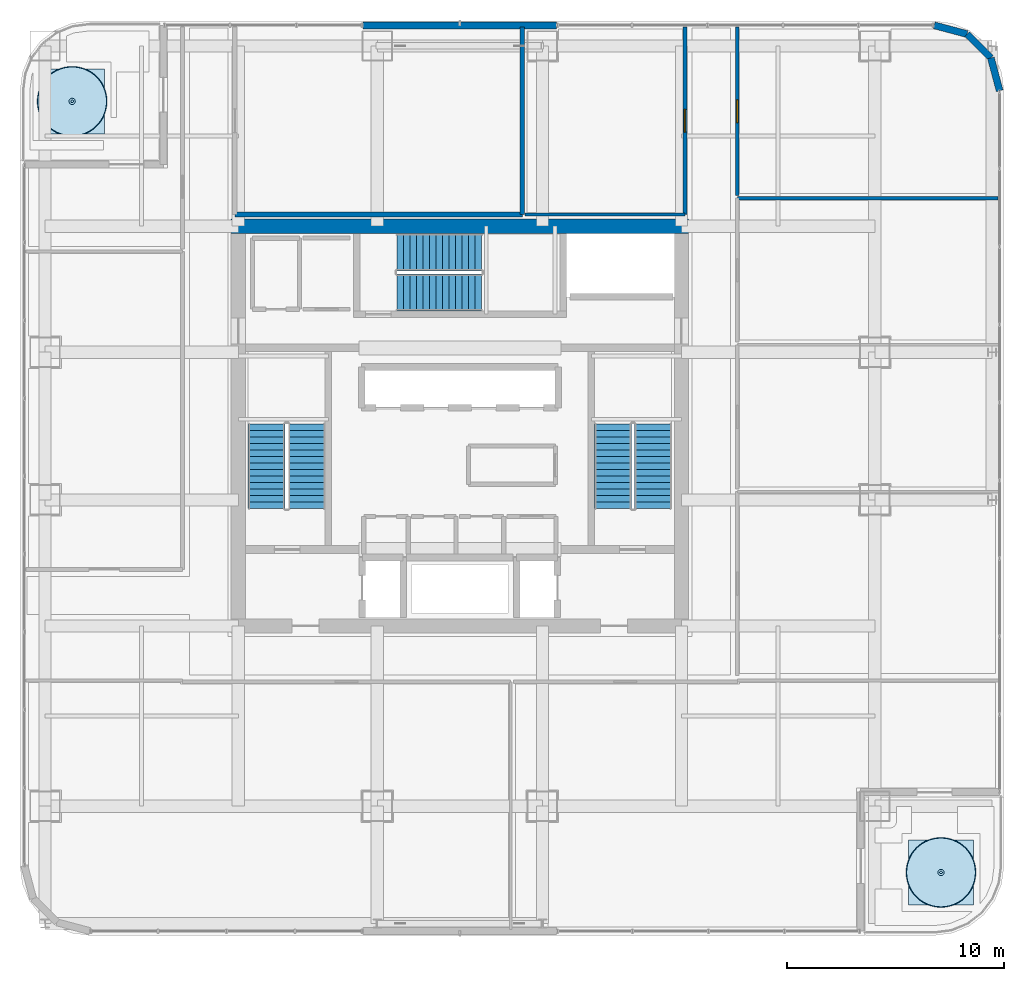
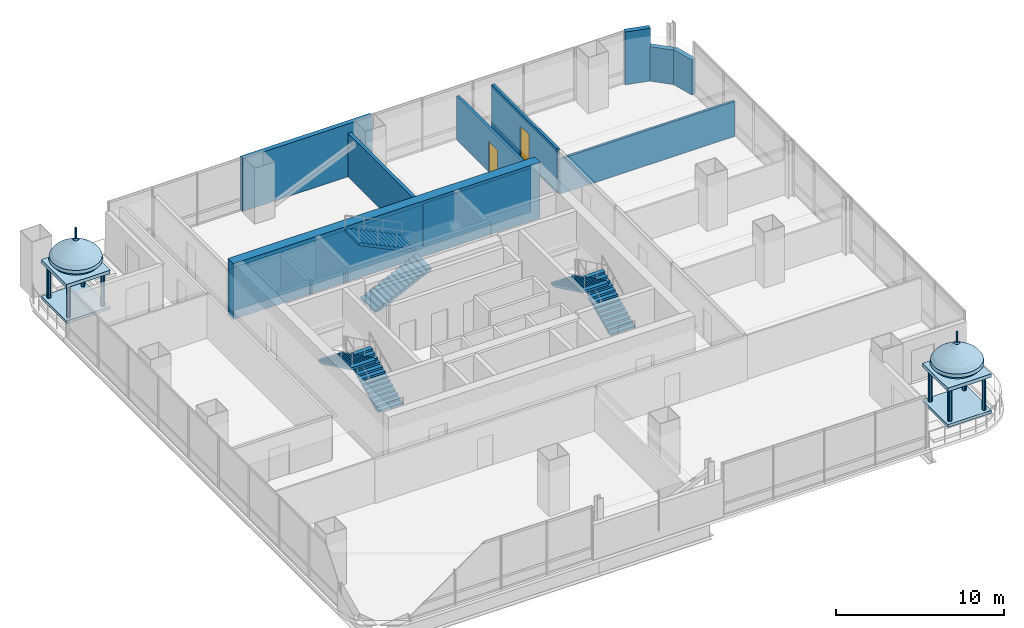
# One storey, part 32 of 41: 11 walls, 6 stair flights, 2 doors, 2 roofs, 2 openings, 3 elements without a shape of their own.
"""IFC4 building model written with IfcOpenShell, lengths in metres."""

from ifc_helpers import new_model, entity, si_unit, direction, frame, frame_2d, origin, origin_2d, place, context, subcontext, project, spatial, polyline, rectangle, circle, outline, extrude, material, layer, layer_set, type_object, element, fill, aggregate, save


model = new_model("IFC4")

# Units and contexts
model_context = context("Model", 3, precision=1e-05, world=origin(), true_north=direction((0.0, 1.0)))
body_context = subcontext(model_context, "Body", "Model", "MODEL_VIEW")
ifc_project = project(units=[si_unit("LENGTHUNIT", "METRE"), si_unit("AREAUNIT", "SQUARE_METRE"), si_unit("VOLUMEUNIT", "CUBIC_METRE"), si_unit("PLANEANGLEUNIT", "RADIAN"), si_unit("MASSUNIT", "GRAM", prefix="KILO")], contexts=[model_context])

# Site, building, storey
site_placement = place(None, origin())
site = spatial("IfcSite", under=ifc_project, at=site_placement, CompositionType="ELEMENT")
building_placement = place(site_placement, origin())
building = spatial("IfcBuilding", under=site, at=building_placement, Name="Punatoya Terracotta Tower", CompositionType="ELEMENT")
storey_placement = place(building_placement, frame((0.0, 0.0, 220.800048828125)))
storey = spatial("IfcBuildingStorey", under=building, at=storey_placement, Name="L52", CompositionType="ELEMENT", Elevation=220.800048828125)

# Wall
ifc_material_1 = material(Name="Concrete C60/75", Category="concrete")
ifc_layer_1 = layer(ifc_material_1, 0.64990234375)
ifc_layer_set_1 = layer_set([ifc_layer_1], Name="Concrete C60/75")
wall_type_1 = type_object("IfcWallType", Name="WL-COR-650", PredefinedType="SHEAR", material=ifc_layer_set_1)
wall_1_placement = place(storey_placement, frame((-10.52490234375, 9.199951171875, 0.0), z_axis=(0.0, 0.0, 1.0), x_axis=(1.0, 0.0, 0.0)))
element("IfcWall", 1, at=wall_1_placement, inside=storey, type_object=wall_type_1, Name="L52 Core Shear Wall N", PredefinedType="SHEAR", context=body_context, shape_type="SweptSolid", body=[
    extrude(rectangle(XDim=21.0498046875, YDim=0.64990234375, at=frame_2d((10.52490234375, 0.0))), origin(), (0.0, 0.0, 1.0), 4.050048828125),
])

# Wall, opening, door
ifc_material_2 = material(Name="Gypsum Fireboard + Steel Stud", Category="steel")
ifc_layer_2 = layer(ifc_material_2, 0.179931640625)
ifc_layer_set_2 = layer_set([ifc_layer_2], Name="Gypsum Fireboard + Steel Stud")
wall_type_2 = type_object("IfcWallType", Name="WL-CORR-180", PredefinedType="PARTITIONING", material=ifc_layer_set_2)
wall_2_placement = place(storey_placement, frame((10.360107421875, 18.3701171875, 0.0), z_axis=(0.0, 0.0, 1.0), x_axis=(0.0, -1.0, 0.0)))
wall_2 = element("IfcWall", 2, at=wall_2_placement, inside=storey, type_object=wall_type_2, Name="L52 Open-Plan Hydrology Modelling Laboratory Partition 39", PredefinedType="PARTITIONING", context=body_context, shape_type="SweptSolid", body=[
    extrude(rectangle(XDim=8.630126953125, YDim=0.179931640625, at=frame_2d((4.31494140625, 0.0))), origin(), (0.0, 0.0, 1.0), 3.174072265625),
])
opening_1_placement = place(wall_2_placement, frame((3.7900390625, 0.0, 0.0)))
opening_1 = element("IfcOpeningElement", 3, at=opening_1_placement, cuts=wall_2, Name="Opening OD-01", PredefinedType="OPENING", context=body_context, shape_type="SweptSolid", body=[
    extrude(rectangle(XDim=1.050048828125, YDim=2.199951171875, at=frame_2d((0.52490234375, 1.10009765625))), frame((0.0, 0.099853515625, 0.0), z_axis=(0.0, -1.0, 0.0), x_axis=(1.0, 0.0, 0.0)), (0.0, 0.0, 1.0), 0.199951171875),
])
ifc_material_3 = material(Name="Bengal Teak Solid-Core Leaf")
door_type = type_object("IfcDoorType", Name="DR-OFF-1050", OperationType="NOTDEFINED", PredefinedType="DOOR", material=ifc_material_3)
door_1_placement = place(opening_1_placement, origin())
door_1 = element("IfcDoor", 4, at=door_1_placement, inside=storey, type_object=door_type, Name="L52 Open-Plan Hydrology Modelling Laboratory Door", OperationType="SINGLE_SWING_LEFT", OverallHeight=2.199951171875, OverallWidth=1.050048828125, PredefinedType="DOOR", context=body_context, shape_type="SweptSolid", body=[
    extrude(rectangle(XDim=1.050048828125, YDim=2.199951171875, at=frame_2d((0.52490234375, 1.10009765625))), frame((0.0, 0.02490234375, 0.0), z_axis=(0.0, -1.0, 0.0), x_axis=(1.0, 0.0, 0.0)), (0.0, 0.0, 1.0), 0.050048828125),
])
fill(opening_1, door_1)

wall_3_placement = place(storey_placement, frame((12.77001953125, 10.614013671875, 0.0), z_axis=(0.0, 0.0, 1.0), x_axis=(0.0, 1.0, 0.0)))
wall_3 = element("IfcWall", 5, at=wall_3_placement, inside=storey, type_object=wall_type_2, Name="L52 Open-Plan Urban Analytics Laboratory Partition 40", PredefinedType="PARTITIONING", context=body_context, shape_type="SweptSolid", body=[
    extrude(rectangle(XDim=7.756103515625, YDim=0.179931640625, at=frame_2d((3.8779296875, 0.0))), origin(), (0.0, 0.0, 1.0), 3.174072265625),
])
opening_2_placement = place(wall_3_placement, frame((3.35302734375, 0.0, 0.0)))
opening_2 = element("IfcOpeningElement", 6, at=opening_2_placement, cuts=wall_3, Name="Opening OD-01", PredefinedType="OPENING", context=body_context, shape_type="SweptSolid", body=[
    extrude(rectangle(XDim=1.050048828125, YDim=2.199951171875, at=frame_2d((0.52490234375, 1.10009765625))), frame((0.0, 0.099853515625, 0.0), z_axis=(0.0, -1.0, 0.0), x_axis=(1.0, 0.0, 0.0)), (0.0, 0.0, 1.0), 0.199951171875),
])
door_2_placement = place(opening_2_placement, origin())
door_2 = element("IfcDoor", 7, at=door_2_placement, inside=storey, type_object=door_type, Name="L52 Open-Plan Urban Analytics Laboratory Door", OperationType="SINGLE_SWING_RIGHT", OverallHeight=2.199951171875, OverallWidth=1.050048828125, PredefinedType="DOOR", context=body_context, shape_type="SweptSolid", body=[
    extrude(rectangle(XDim=1.050048828125, YDim=2.199951171875, at=frame_2d((0.52490234375, 1.10009765625))), frame((0.0, 0.02490234375, 0.0), z_axis=(0.0, -1.0, 0.0), x_axis=(1.0, 0.0, 0.0)), (0.0, 0.0, 1.0), 0.050048828125),
])
fill(opening_2, door_2)

# Walls
ifc_material_4 = material(Name="Precast concrete C40/50", Category="concrete")
ifc_layer_3 = layer(ifc_material_4, 0.320068359375)
ifc_layer_set_3 = layer_set([ifc_layer_3], Name="Precast concrete C40/50")
wall_type_3 = type_object("IfcWallType", Name="WL-EXT-320", PredefinedType="SOLIDWALL", material=ifc_layer_set_3)
wall_4_placement = place(storey_placement, frame((24.85009765625, 15.43701171875, 0.0), z_axis=(0.0, 0.0, 1.0), x_axis=(-0.257847112249, 0.966185730957, 0.0)))
element("IfcWall", 8, at=wall_4_placement, inside=storey, type_object=wall_type_3, Name="L52 Rounded Terracotta Corner Pier 05", PredefinedType="SOLIDWALL", context=body_context, shape_type="SweptSolid", body=[
    extrude(rectangle(XDim=1.565185546875, YDim=0.320068359375, at=frame_2d((0.78271484375, 0.0))), origin(), (0.0, 0.0, 1.0), 2.5439453125),
])
wall_5_placement = place(storey_placement, frame((24.446533203125, 16.94921875, 0.0), z_axis=(0.0, 0.0, 1.0), x_axis=(-0.707106781187, 0.707106781187, 0.0)))
element("IfcWall", 9, at=wall_5_placement, inside=storey, type_object=wall_type_3, Name="L52 Rounded Terracotta Corner Pier 06", PredefinedType="SOLIDWALL", context=body_context, shape_type="SweptSolid", body=[
    extrude(rectangle(XDim=1.552001953125, YDim=0.320068359375, at=frame_2d((0.77587890625, 0.0))), origin(), (0.0, 0.0, 1.0), 2.50390625),
])
wall_6_placement = place(storey_placement, frame((23.34912109375, 18.046630859375, 0.0), z_axis=(0.0, 0.0, 1.0), x_axis=(-0.966224582397, 0.257701486942, 0.0)))
element("IfcWall", 10, at=wall_6_placement, inside=storey, type_object=wall_type_3, Name="L52 Rounded Terracotta Corner Pier 07", PredefinedType="SOLIDWALL", context=body_context, shape_type="SweptSolid", body=[
    extrude(rectangle(XDim=1.565185546875, YDim=0.320068359375, at=frame_2d((0.78271484375, 0.0))), origin(), (0.0, 0.0, 1.0), 3.829833984375),
])
wall_7_placement = place(storey_placement, frame((4.449951171875, 18.449951171875, 0.0), z_axis=(0.0, 0.0, 1.0), x_axis=(-1.0, 0.0, 0.0)))
element("IfcWall", 11, at=wall_7_placement, inside=storey, type_object=wall_type_3, Name="L52 Terracotta Braced Facade Wall N1", PredefinedType="SOLIDWALL", context=body_context, shape_type="SweptSolid", body=[
    extrude(rectangle(XDim=8.89990234375, YDim=0.320068359375, at=frame_2d((4.449951171875, 0.0))), origin(), (0.0, 0.0, 1.0), 3.829833984375),
])
ifc_material_5 = material(Name="Concrete C40/50", Category="concrete")
ifc_layer_4 = layer(ifc_material_5, 0.219970703125)
ifc_layer_set_4 = layer_set([ifc_layer_4], Name="Concrete C40/50")
wall_type_4 = type_object("IfcWallType", Name="WL-FIR-220", PredefinedType="SOLIDWALL", material=ifc_layer_set_4)
wall_8_placement = place(storey_placement, frame((2.8740234375, 18.3701171875, 0.0), z_axis=(0.0, 0.0, 1.0), x_axis=(0.0, -1.0, 0.0)))
element("IfcWall", 12, at=wall_8_placement, inside=storey, type_object=wall_type_4, Name="L52 Open-Plan Geospatial Data Archive Partition 35", PredefinedType="SOLIDWALL", context=body_context, shape_type="SweptSolid", body=[
    extrude(rectangle(XDim=8.630126953125, YDim=0.219970703125, at=frame_2d((4.31494140625, 0.0))), origin(), (0.0, 0.0, 1.0), 3.174072265625),
])
wall_9_placement = place(storey_placement, frame((2.8740234375, 9.739990234375, 0.0), z_axis=(0.0, 0.0, 1.0), x_axis=(-1.0, 0.0, 0.0)))
element("IfcWall", 13, at=wall_9_placement, inside=storey, type_object=wall_type_4, Name="L52 Open-Plan Geospatial Data Archive Partition 36", PredefinedType="SOLIDWALL", context=body_context, shape_type="SweptSolid", body=[
    extrude(rectangle(XDim=13.234130859375, YDim=0.219970703125, at=frame_2d((6.6171875, 0.0))), origin(), (0.0, 0.0, 1.0), 3.174072265625),
])
ifc_material_6 = material(Name="Gypsum Partition + Steel Stud", Category="steel")
ifc_layer_5 = layer(ifc_material_6, 0.1201171875)
ifc_layer_set_5 = layer_set([ifc_layer_5], Name="Gypsum Partition + Steel Stud")
wall_type_5 = type_object("IfcWallType", Name="WL-OFF-120", PredefinedType="PARTITIONING", material=ifc_layer_set_5)
wall_10_placement = place(storey_placement, frame((10.360107421875, 9.739990234375, 0.0), z_axis=(0.0, 0.0, 1.0), x_axis=(-1.0, 0.0, 0.0)))
element("IfcWall", 14, at=wall_10_placement, inside=storey, type_object=wall_type_5, Name="L52 Open-Plan Hydrology Modelling Laboratory Partition 38", PredefinedType="PARTITIONING", context=body_context, shape_type="SweptSolid", body=[
    extrude(rectangle(XDim=7.3662109375, YDim=0.1201171875, at=frame_2d((3.68310546875, 0.0))), origin(), (0.0, 0.0, 1.0), 3.174072265625),
])
ifc_material_7 = material(Name="Masonry Blockwork + Ceramic Tile", Category="masonry")
ifc_layer_6 = layer(ifc_material_7, 0.159912109375)
ifc_layer_set_6 = layer_set([ifc_layer_6], Name="Masonry Blockwork + Ceramic Tile")
wall_type_6 = type_object("IfcWallType", Name="WL-WET-160", PredefinedType="PARTITIONING", material=ifc_layer_set_6)
wall_11_placement = place(storey_placement, frame((12.77001953125, 10.493896484375, 0.0), z_axis=(0.0, 0.0, 1.0), x_axis=(1.0, 0.0, 0.0)))
element("IfcWall", 15, at=wall_11_placement, inside=storey, type_object=wall_type_6, Name="L52 Laboratory Staff Pantry Partition 32", PredefinedType="PARTITIONING", context=body_context, shape_type="SweptSolid", body=[
    extrude(rectangle(XDim=12.0, YDim=0.159912109375, at=frame_2d((6.0, 0.0))), origin(), (0.0, 0.0, 1.0), 2.5439453125),
])

# Stair, stair flights
stair_type_1 = type_object("IfcStairType", Name="STR-CORE-1550", PredefinedType="HALF_TURN_STAIR", material=ifc_material_5)
stair_1_placement = place(storey_placement, origin())
stair_1 = element("IfcStair", 16, at=stair_1_placement, inside=storey, type_object=stair_type_1, Name="L52 Protected Core Exit Stair ST-1", PredefinedType="HALF_TURN_STAIR")
stair_flight_type_1 = type_object("IfcStairFlightType", Name="SFL-CORE-1550", PredefinedType="STRAIGHT", material=ifc_material_5)
stair_flight_1_placement = place(storey_placement, frame((-7.050048828125, -3.800048828125, 0.0), z_axis=(0.0, 0.0, 1.0), x_axis=(0.0, 1.0, 0.0)))
stair_flight_1 = element("IfcStairFlight", 17, at=stair_flight_1_placement, type_object=stair_flight_type_1, Name="ST-1 flight 1", NumberOfRisers=14, NumberOfTreads=13, PredefinedType="STRAIGHT", RiserHeight=0.144642857, TreadLength=0.3, context=body_context, shape_type="SweptSolid", body=[
    extrude(outline(polyline([(0.0, 0.0), (0.0, 0.14453125), (0.300048828125, 0.14453125), (0.300048828125, 0.289306640625), (0.60009765625, 0.289306640625), (0.60009765625, 0.433837890625), (0.89990234375, 0.433837890625), (0.89990234375, 0.57861328125), (1.199951171875, 0.57861328125), (1.199951171875, 0.72314453125), (1.5, 0.72314453125), (1.5, 0.867919921875), (1.800048828125, 0.867919921875), (1.800048828125, 1.012451171875), (2.10009765625, 1.012451171875), (2.10009765625, 1.1572265625), (2.39990234375, 1.1572265625), (2.39990234375, 1.3017578125), (2.699951171875, 1.3017578125), (2.699951171875, 1.446533203125), (3.0, 1.446533203125), (3.0, 1.591064453125), (3.300048828125, 1.591064453125), (3.300048828125, 1.735595703125), (3.60009765625, 1.735595703125), (3.60009765625, 1.88037109375), (3.89990234375, 1.88037109375), (3.89990234375, 2.02490234375), (3.89990234375, 1.7138671875), (0.34521484375, 0.0), (0.0, 0.0)])), frame((0.0, 0.85009765625, 0.0), z_axis=(0.0, -1.0, 0.0), x_axis=(1.0, 0.0, 0.0)), (0.0, 0.0, 1.0), 1.699951171875),
])
stair_flight_2_placement = place(storey_placement, frame((-8.89990234375, 0.10009765625, 2.02490234375), z_axis=(0.0, 0.0, 1.0), x_axis=(0.0, -1.0, 0.0)))
stair_flight_2 = element("IfcStairFlight", 18, at=stair_flight_2_placement, type_object=stair_flight_type_1, Name="ST-1 flight 2", NumberOfRisers=14, NumberOfTreads=13, PredefinedType="STRAIGHT", RiserHeight=0.144642857, TreadLength=0.3, context=body_context, shape_type="SweptSolid", body=[
    extrude(outline(polyline([(0.0, 0.0), (0.0, 0.14453125), (0.300048828125, 0.14453125), (0.300048828125, 0.289306640625), (0.60009765625, 0.289306640625), (0.60009765625, 0.433837890625), (0.89990234375, 0.433837890625), (0.89990234375, 0.57861328125), (1.199951171875, 0.57861328125), (1.199951171875, 0.72314453125), (1.5, 0.72314453125), (1.5, 0.867919921875), (1.800048828125, 0.867919921875), (1.800048828125, 1.012451171875), (2.10009765625, 1.012451171875), (2.10009765625, 1.1572265625), (2.39990234375, 1.1572265625), (2.39990234375, 1.3017578125), (2.699951171875, 1.3017578125), (2.699951171875, 1.446533203125), (3.0, 1.446533203125), (3.0, 1.591064453125), (3.300048828125, 1.591064453125), (3.300048828125, 1.735595703125), (3.60009765625, 1.735595703125), (3.60009765625, 1.88037109375), (3.89990234375, 1.88037109375), (3.89990234375, 2.02490234375), (3.89990234375, 1.7138671875), (0.34521484375, 0.0), (0.0, 0.0)])), frame((0.0, 0.85009765625, 0.0), z_axis=(0.0, -1.0, 0.0), x_axis=(1.0, 0.0, 0.0)), (0.0, 0.0, 1.0), 1.699951171875),
])
aggregate(stair_1, [stair_flight_1, stair_flight_2])

stair_type_2 = type_object("IfcStairType", Name="STR-LOB-1650", PredefinedType="HALF_TURN_STAIR", material=ifc_material_5)
stair_2_placement = place(storey_placement, origin())
stair_2 = element("IfcStair", 19, at=stair_2_placement, inside=storey, type_object=stair_type_2, Name="L52 Protected Core Exit Stair ST-2", PredefinedType="HALF_TURN_STAIR")
stair_flight_type_2 = type_object("IfcStairFlightType", Name="SFL-LOB-1650", PredefinedType="STRAIGHT", material=ifc_material_5)
stair_flight_3_placement = place(storey_placement, frame((8.89990234375, -3.800048828125, 0.0), z_axis=(0.0, 0.0, 1.0), x_axis=(0.0, 1.0, 0.0)))
stair_flight_3 = element("IfcStairFlight", 20, at=stair_flight_3_placement, type_object=stair_flight_type_2, Name="ST-2 flight 1", NumberOfRisers=14, NumberOfTreads=13, PredefinedType="STRAIGHT", RiserHeight=0.144642857, TreadLength=0.3, context=body_context, shape_type="SweptSolid", body=[
    extrude(outline(polyline([(0.0, 0.0), (0.0, 0.14453125), (0.300048828125, 0.14453125), (0.300048828125, 0.289306640625), (0.60009765625, 0.289306640625), (0.60009765625, 0.433837890625), (0.89990234375, 0.433837890625), (0.89990234375, 0.57861328125), (1.199951171875, 0.57861328125), (1.199951171875, 0.72314453125), (1.5, 0.72314453125), (1.5, 0.867919921875), (1.800048828125, 0.867919921875), (1.800048828125, 1.012451171875), (2.10009765625, 1.012451171875), (2.10009765625, 1.1572265625), (2.39990234375, 1.1572265625), (2.39990234375, 1.3017578125), (2.699951171875, 1.3017578125), (2.699951171875, 1.446533203125), (3.0, 1.446533203125), (3.0, 1.591064453125), (3.300048828125, 1.591064453125), (3.300048828125, 1.735595703125), (3.60009765625, 1.735595703125), (3.60009765625, 1.88037109375), (3.89990234375, 1.88037109375), (3.89990234375, 2.02490234375), (3.89990234375, 1.7138671875), (0.34521484375, 0.0), (0.0, 0.0)])), frame((0.0, 0.85009765625, 0.0), z_axis=(0.0, -1.0, 0.0), x_axis=(1.0, 0.0, 0.0)), (0.0, 0.0, 1.0), 1.699951171875),
])
stair_flight_4_placement = place(storey_placement, frame((7.050048828125, 0.10009765625, 2.02490234375), z_axis=(0.0, 0.0, 1.0), x_axis=(0.0, -1.0, 0.0)))
stair_flight_4 = element("IfcStairFlight", 21, at=stair_flight_4_placement, type_object=stair_flight_type_2, Name="ST-2 flight 2", NumberOfRisers=14, NumberOfTreads=13, PredefinedType="STRAIGHT", RiserHeight=0.144642857, TreadLength=0.3, context=body_context, shape_type="SweptSolid", body=[
    extrude(outline(polyline([(0.0, 0.0), (0.0, 0.14453125), (0.300048828125, 0.14453125), (0.300048828125, 0.289306640625), (0.60009765625, 0.289306640625), (0.60009765625, 0.433837890625), (0.89990234375, 0.433837890625), (0.89990234375, 0.57861328125), (1.199951171875, 0.57861328125), (1.199951171875, 0.72314453125), (1.5, 0.72314453125), (1.5, 0.867919921875), (1.800048828125, 0.867919921875), (1.800048828125, 1.012451171875), (2.10009765625, 1.012451171875), (2.10009765625, 1.1572265625), (2.39990234375, 1.1572265625), (2.39990234375, 1.3017578125), (2.699951171875, 1.3017578125), (2.699951171875, 1.446533203125), (3.0, 1.446533203125), (3.0, 1.591064453125), (3.300048828125, 1.591064453125), (3.300048828125, 1.735595703125), (3.60009765625, 1.735595703125), (3.60009765625, 1.88037109375), (3.89990234375, 1.88037109375), (3.89990234375, 2.02490234375), (3.89990234375, 1.7138671875), (0.34521484375, 0.0), (0.0, 0.0)])), frame((0.0, 0.85009765625, 0.0), z_axis=(0.0, -1.0, 0.0), x_axis=(1.0, 0.0, 0.0)), (0.0, 0.0, 1.0), 1.699951171875),
])
aggregate(stair_2, [stair_flight_3, stair_flight_4])

stair_type_3 = type_object("IfcStairType", Name="STR-TER-1450", PredefinedType="HALF_TURN_STAIR", material=ifc_material_5)
stair_3_placement = place(storey_placement, origin())
stair_3 = element("IfcStair", 22, at=stair_3_placement, inside=storey, type_object=stair_type_3, Name="L52 Protected Core Exit Stair ST-3", PredefinedType="HALF_TURN_STAIR")
stair_flight_type_3 = type_object("IfcStairFlightType", Name="SFL-TER-1450", PredefinedType="STRAIGHT", material=ifc_material_5)
stair_flight_5_placement = place(storey_placement, frame((-2.89990234375, 6.14990234375, 0.0), z_axis=(0.0, 0.0, 1.0), x_axis=(1.0, 0.0, 0.0)))
stair_flight_5 = element("IfcStairFlight", 23, at=stair_flight_5_placement, type_object=stair_flight_type_3, Name="ST-3 flight 1", NumberOfRisers=14, NumberOfTreads=13, PredefinedType="STRAIGHT", RiserHeight=0.144642857, TreadLength=0.3, context=body_context, shape_type="SweptSolid", body=[
    extrude(outline(polyline([(0.0, 0.0), (0.0, 0.14453125), (0.300048828125, 0.14453125), (0.300048828125, 0.289306640625), (0.60009765625, 0.289306640625), (0.60009765625, 0.433837890625), (0.89990234375, 0.433837890625), (0.89990234375, 0.57861328125), (1.199951171875, 0.57861328125), (1.199951171875, 0.72314453125), (1.5, 0.72314453125), (1.5, 0.867919921875), (1.800048828125, 0.867919921875), (1.800048828125, 1.012451171875), (2.10009765625, 1.012451171875), (2.10009765625, 1.1572265625), (2.39990234375, 1.1572265625), (2.39990234375, 1.3017578125), (2.699951171875, 1.3017578125), (2.699951171875, 1.446533203125), (3.0, 1.446533203125), (3.0, 1.591064453125), (3.300048828125, 1.591064453125), (3.300048828125, 1.735595703125), (3.60009765625, 1.735595703125), (3.60009765625, 1.88037109375), (3.89990234375, 1.88037109375), (3.89990234375, 2.02490234375), (3.89990234375, 1.7138671875), (0.34521484375, 0.0), (0.0, 0.0)])), frame((0.0, 0.85009765625, 0.0), z_axis=(0.0, -1.0, 0.0), x_axis=(1.0, 0.0, 0.0)), (0.0, 0.0, 1.0), 1.699951171875),
])
stair_flight_6_placement = place(storey_placement, frame((1.0, 8.0, 2.02490234375), z_axis=(0.0, 0.0, 1.0), x_axis=(-1.0, 0.0, 0.0)))
stair_flight_6 = element("IfcStairFlight", 24, at=stair_flight_6_placement, type_object=stair_flight_type_3, Name="ST-3 flight 2", NumberOfRisers=14, NumberOfTreads=13, PredefinedType="STRAIGHT", RiserHeight=0.144642857, TreadLength=0.3, context=body_context, shape_type="SweptSolid", body=[
    extrude(outline(polyline([(0.0, 0.0), (0.0, 0.14453125), (0.300048828125, 0.14453125), (0.300048828125, 0.289306640625), (0.60009765625, 0.289306640625), (0.60009765625, 0.433837890625), (0.89990234375, 0.433837890625), (0.89990234375, 0.57861328125), (1.199951171875, 0.57861328125), (1.199951171875, 0.72314453125), (1.5, 0.72314453125), (1.5, 0.867919921875), (1.800048828125, 0.867919921875), (1.800048828125, 1.012451171875), (2.10009765625, 1.012451171875), (2.10009765625, 1.1572265625), (2.39990234375, 1.1572265625), (2.39990234375, 1.3017578125), (2.699951171875, 1.3017578125), (2.699951171875, 1.446533203125), (3.0, 1.446533203125), (3.0, 1.591064453125), (3.300048828125, 1.591064453125), (3.300048828125, 1.735595703125), (3.60009765625, 1.735595703125), (3.60009765625, 1.88037109375), (3.89990234375, 1.88037109375), (3.89990234375, 2.02490234375), (3.89990234375, 1.7138671875), (0.34521484375, 0.0), (0.0, 0.0)])), frame((0.0, 0.85009765625, 0.0), z_axis=(0.0, -1.0, 0.0), x_axis=(1.0, 0.0, 0.0)), (0.0, 0.0, 1.0), 1.699951171875),
])
aggregate(stair_3, [stair_flight_5, stair_flight_6])

# Roofs
ifc_material_8 = material(Name="Architectural Fired Terracotta", Category="masonry")
roof_type = type_object("IfcRoofType", Name="ROF-CHH-2600", PredefinedType="DOME_ROOF", material=ifc_material_8)
roof_1_placement = place(storey_placement, frame((-17.85009765625, 14.949951171875, 0.0), z_axis=(0.0, 0.0, 1.0), x_axis=(1.0, 0.0, 0.0)))
cartesian_point_1 = entity("IfcCartesianPoint", [0.0, 0.0])
element("IfcRoof", 25, at=roof_1_placement, inside=storey, type_object=roof_type, Name="L52 Corner Sky-Court Pavilion (Chhatri) CH-12", PredefinedType="DOME_ROOF", context=body_context, shape_type="SweptSolid", body=[
    extrude(rectangle(XDim=3.0, YDim=3.0, at=origin_2d()), origin(), (0.0, 0.0, 1.0), 0.199951171875),
    extrude(circle(Radius=0.1298828125, at=origin_2d()), frame((-1.169921875, -1.169921875, 0.199951171875)), (0.0, 0.0, 1.0), 2.39990234375),
    extrude(circle(Radius=0.1298828125, at=origin_2d()), frame((1.169921875, -1.169921875, 0.199951171875)), (0.0, 0.0, 1.0), 2.39990234375),
    extrude(circle(Radius=0.1298828125, at=origin_2d()), frame((1.169921875, 1.169921875, 0.199951171875)), (0.0, 0.0, 1.0), 2.39990234375),
    extrude(circle(Radius=0.1298828125, at=origin_2d()), frame((-1.169921875, 1.169921875, 0.199951171875)), (0.0, 0.0, 1.0), 2.39990234375),
    extrude(rectangle(XDim=3.0, YDim=3.0, at=origin_2d()), frame((0.0, 0.0, 2.599853515625)), (0.0, 0.0, 1.0), 0.25),
    entity("IfcRevolvedAreaSolid", entity("IfcArbitraryClosedProfileDef", "AREA", None, entity("IfcPolyline", [cartesian_point_1, entity("IfcCartesianPoint", [1.06396484375, 0.0]), entity("IfcCartesianPoint", [1.16064453125, 0.094970703125]), entity("IfcCartesianPoint", [1.418701171875, 0.2470703125]), entity("IfcCartesianPoint", [1.612060546875, 0.47509765625]), entity("IfcCartesianPoint", [1.579833984375, 0.702880859375]), entity("IfcCartesianPoint", [1.386474609375, 0.968994140625]), entity("IfcCartesianPoint", [1.03173828125, 1.23486328125]), entity("IfcCartesianPoint", [0.677001953125, 1.462890625]), entity("IfcCartesianPoint", [0.386962890625, 1.634033203125]), entity("IfcCartesianPoint", [0.2255859375, 1.766845703125]), entity("IfcCartesianPoint", [0.14501953125, 1.843017578125]), entity("IfcCartesianPoint", [0.0, 1.89990234375]), cartesian_point_1])), entity("IfcAxis2Placement3D", entity("IfcCartesianPoint", [0.0, 0.0, 2.849853515625]), entity("IfcDirection", [0.0, -1.0, 0.0]), entity("IfcDirection", [1.0, 0.0, 0.0])), entity("IfcAxis1Placement", entity("IfcCartesianPoint", [0.0, 0.0, 0.0]), entity("IfcDirection", [0.0, 1.0, 0.0])), 6.283185307179586),
    extrude(circle(Radius=0.06005859375, at=origin_2d()), frame((0.0, 0.0, 4.749755859375)), (0.0, 0.0, 1.0), 0.800048828125),
])
roof_2_placement = place(storey_placement, frame((22.14990234375, -20.550048828125, 0.0), z_axis=(0.0, 0.0, 1.0), x_axis=(1.0, 0.0, 0.0)))
cartesian_point_2 = entity("IfcCartesianPoint", [0.0, 0.0])
element("IfcRoof", 26, at=roof_2_placement, inside=storey, type_object=roof_type, Name="L52 Corner Sky-Court Pavilion (Chhatri) CH-13", PredefinedType="DOME_ROOF", context=body_context, shape_type="SweptSolid", body=[
    extrude(rectangle(XDim=3.0, YDim=3.0, at=origin_2d()), origin(), (0.0, 0.0, 1.0), 0.199951171875),
    extrude(circle(Radius=0.1298828125, at=origin_2d()), frame((-1.169921875, -1.169921875, 0.199951171875)), (0.0, 0.0, 1.0), 2.39990234375),
    extrude(circle(Radius=0.1298828125, at=origin_2d()), frame((1.169921875, -1.169921875, 0.199951171875)), (0.0, 0.0, 1.0), 2.39990234375),
    extrude(circle(Radius=0.1298828125, at=origin_2d()), frame((1.169921875, 1.169921875, 0.199951171875)), (0.0, 0.0, 1.0), 2.39990234375),
    extrude(circle(Radius=0.1298828125, at=origin_2d()), frame((-1.169921875, 1.169921875, 0.199951171875)), (0.0, 0.0, 1.0), 2.39990234375),
    extrude(rectangle(XDim=3.0, YDim=3.0, at=origin_2d()), frame((0.0, 0.0, 2.599853515625)), (0.0, 0.0, 1.0), 0.25),
    entity("IfcRevolvedAreaSolid", entity("IfcArbitraryClosedProfileDef", "AREA", None, entity("IfcPolyline", [cartesian_point_2, entity("IfcCartesianPoint", [1.06396484375, 0.0]), entity("IfcCartesianPoint", [1.16064453125, 0.094970703125]), entity("IfcCartesianPoint", [1.418701171875, 0.2470703125]), entity("IfcCartesianPoint", [1.612060546875, 0.47509765625]), entity("IfcCartesianPoint", [1.579833984375, 0.702880859375]), entity("IfcCartesianPoint", [1.386474609375, 0.968994140625]), entity("IfcCartesianPoint", [1.03173828125, 1.23486328125]), entity("IfcCartesianPoint", [0.677001953125, 1.462890625]), entity("IfcCartesianPoint", [0.386962890625, 1.634033203125]), entity("IfcCartesianPoint", [0.2255859375, 1.766845703125]), entity("IfcCartesianPoint", [0.14501953125, 1.843017578125]), entity("IfcCartesianPoint", [0.0, 1.89990234375]), cartesian_point_2])), entity("IfcAxis2Placement3D", entity("IfcCartesianPoint", [0.0, 0.0, 2.849853515625]), entity("IfcDirection", [0.0, -1.0, 0.0]), entity("IfcDirection", [1.0, 0.0, 0.0])), entity("IfcAxis1Placement", entity("IfcCartesianPoint", [0.0, 0.0, 0.0]), entity("IfcDirection", [0.0, 1.0, 0.0])), 6.283185307179586),
    extrude(circle(Radius=0.06005859375, at=origin_2d()), frame((0.0, 0.0, 4.749755859375)), (0.0, 0.0, 1.0), 0.800048828125),
])

save(model, "model.ifc")
